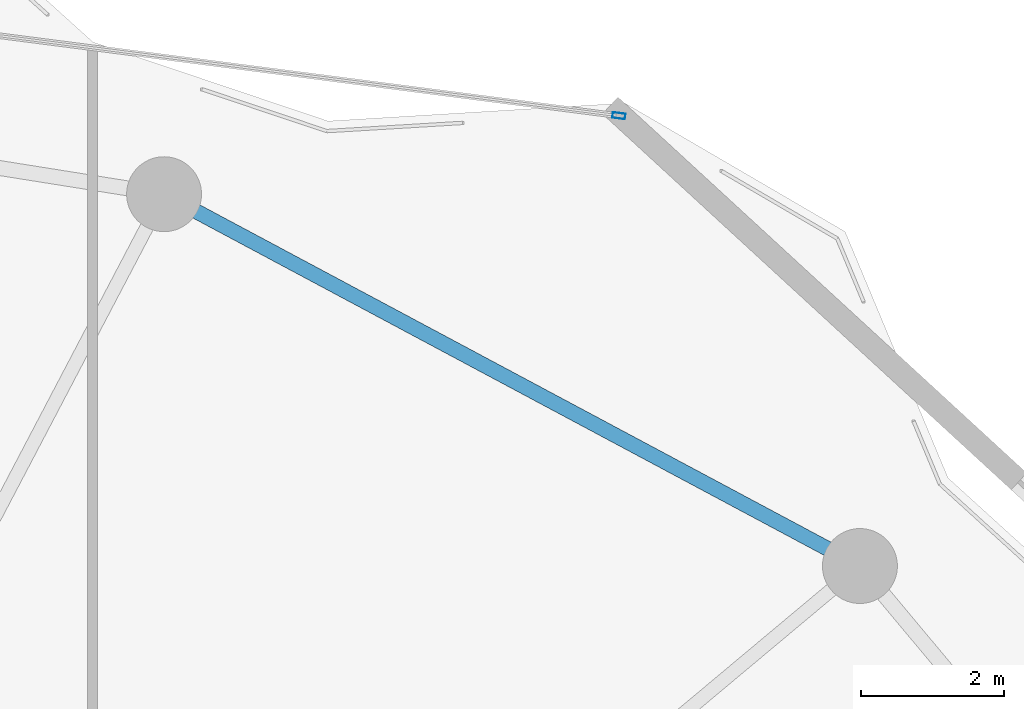
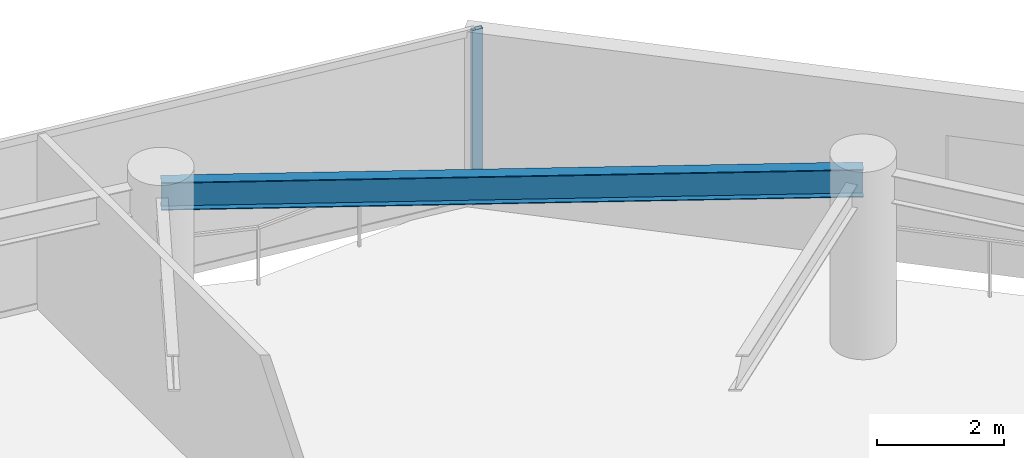
# One storey, part 23 of 31: 1 beam, 1 member, 1 element without a shape of its own.
"""IFC4 building model written with IfcOpenShell, lengths in metres."""

from ifc_helpers import new_model, si_unit, direction, frame, origin, origin_2d, place, context, subcontext, project, spatial, hollow_rectangle, i_section, extrude, material, layer, layer_set, material_profile, profile_set, type_object, element, aggregate, save


model = new_model("IFC4")

# Units and contexts
model_context = context("Model", 3, precision=1e-05, world=origin(), true_north=direction((0.0, 1.0)))
body_context = subcontext(model_context, "Body", "Model", "MODEL_VIEW")
ifc_project = project(units=[si_unit("LENGTHUNIT", "METRE"), si_unit("AREAUNIT", "SQUARE_METRE"), si_unit("VOLUMEUNIT", "CUBIC_METRE"), si_unit("PLANEANGLEUNIT", "RADIAN"), si_unit("MASSUNIT", "GRAM", prefix="KILO")], contexts=[model_context])

# Site, building, storey
site_placement = place(None, origin())
site = spatial("IfcSite", under=ifc_project, at=site_placement, CompositionType="ELEMENT")
building_placement = place(site_placement, origin())
building = spatial("IfcBuilding", under=site, at=building_placement, Name="Kazevale Care Tower and Concert Hall", CompositionType="ELEMENT")
storey_placement = place(building_placement, frame((0.0, 0.0, 217.199951171875)))
storey = spatial("IfcBuildingStorey", under=building, at=storey_placement, Name="L57", CompositionType="ELEMENT", Elevation=217.199951171875)

# Curtain wall, member
ifc_material_1 = material(Name="Aluminium 6063-T6 and Low-E Glass", Category="aluminium")
ifc_layer = layer(ifc_material_1, 0.179931640625)
ifc_layer_set = layer_set([ifc_layer], Name="Aluminium 6063-T6 and Low-E Glass")
curtain_wall_type = type_object("IfcCurtainWallType", Name="Waist & Upper Residential Curtain Wall CW-4", PredefinedType="NOTDEFINED", material=ifc_layer_set)
curtain_wall_placement = place(storey_placement, origin())
curtain_wall = element("IfcCurtainWall", 1, at=curtain_wall_placement, inside=storey, type_object=curtain_wall_type, Name="cw:L57:f16", PredefinedType="NOTDEFINED")
ifc_material_2 = material(Name="Aluminium 6063-T6", Category="aluminium")
ifc_material_profile_1 = material_profile(ifc_material_2, hollow_rectangle(XDim=0.080078125, YDim=0.179931640625, WallThickness=0.0048828125, at=origin_2d()), Name="ALU80x180x5")
ifc_profile_set_1 = profile_set([ifc_material_profile_1], Name="Aluminium 6063-T6")
member_type = type_object("IfcMemberType", Name="CW-4 Mullion ALU80x180x5", PredefinedType="MULLION", material=ifc_profile_set_1)
member_placement = place(storey_placement, frame((62.873291015625, 61.319091796875, 0.0), z_axis=(0.0, 0.0, 1.0), x_axis=(0.128098132904, 0.991761497713, 0.0)))
member = element("IfcMember", 2, at=member_placement, type_object=member_type, Name="CW-4 mullion 2", PredefinedType="MULLION", context=body_context, shape_type="SweptSolid", body=[
    extrude(hollow_rectangle(XDim=0.080078125, YDim=0.179931640625, WallThickness=0.0048828125, at=origin_2d()), origin(), (0.0, 0.0, 1.0), 3.360107421875),
])
aggregate(curtain_wall, [member])

# Beam
ifc_material_3 = material(Name="Steel ASTM A572 Gr 50", Category="steel")
ifc_material_profile_2 = material_profile(ifc_material_3, i_section(OverallWidth=0.208984375, OverallDepth=0.532958984375, WebThickness=0.01025390625, FlangeThickness=0.015625, at=origin_2d()), Name="W530x92")
ifc_profile_set_2 = profile_set([ifc_material_profile_2], Name="Steel ASTM A572 Gr 50")
beam_type = type_object("IfcBeamType", Name="Upper Ring Beam W530x92", PredefinedType="BEAM", material=ifc_profile_set_2)
beam_placement = place(storey_placement, frame((66.25, 55.010009765625, 3.093505859375), z_axis=(-0.881978519833, 0.471289603697, 0.0), x_axis=(-0.471289603697, -0.881978519833, 0.0)))
element("IfcBeam", 3, at=beam_placement, inside=storey, type_object=beam_type, Name="beam:L57:ring:03", PredefinedType="BEAM", context=body_context, shape_type="SweptSolid", body=[
    extrude(i_section(OverallWidth=0.208984375, OverallDepth=0.532958984375, WebThickness=0.01025390625, FlangeThickness=0.015625, at=origin_2d()), origin(), (0.0, 0.0, 1.0), 11.0546875),
])

save(model, "model.ifc")
